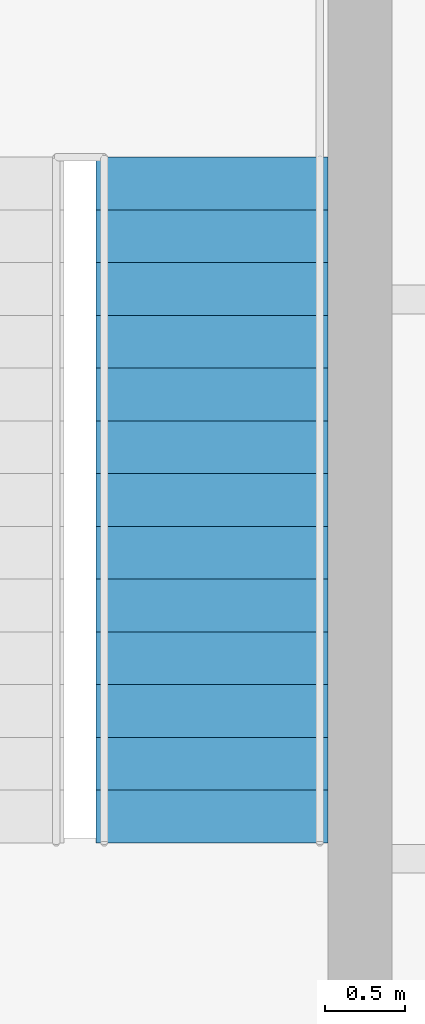
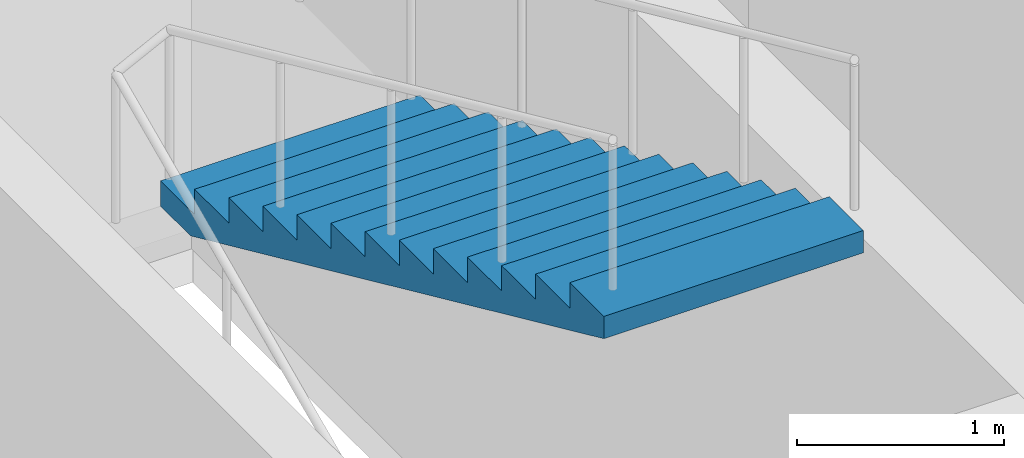
# One storey, part 9 of 10: 1 stair flight, 1 element without a shape of its own.
"""IFC4 building model written with IfcOpenShell, lengths in metres."""

from ifc_helpers import new_model, si_unit, direction, frame, origin, place, context, subcontext, project, spatial, polygons, material, type_object, element, aggregate, save


model = new_model("IFC4")

# Units and contexts
model_context = context("Model", 3, precision=1e-05, world=origin(), true_north=direction((0.0, 1.0)))
body_context = subcontext(model_context, "Body", "Model", "MODEL_VIEW")
ifc_project = project(units=[si_unit("LENGTHUNIT", "METRE"), si_unit("AREAUNIT", "SQUARE_METRE"), si_unit("VOLUMEUNIT", "CUBIC_METRE"), si_unit("PLANEANGLEUNIT", "RADIAN"), si_unit("MASSUNIT", "GRAM", prefix="KILO")], contexts=[model_context])

# Site, building, storey
site_placement = place(None, origin())
site = spatial("IfcSite", under=ifc_project, at=site_placement, CompositionType="ELEMENT")
building_placement = place(site_placement, origin())
building = spatial("IfcBuilding", under=site, at=building_placement, Name="Njiva Tower", CompositionType="ELEMENT")
storey_placement = place(building_placement, frame((0.0, 0.0, 329.4)))
storey = spatial("IfcBuildingStorey", under=building, at=storey_placement, Name="L75", CompositionType="ELEMENT", Elevation=329.4)

# Stair, stair flight
ifc_material = material(Name="Concrete C40/50", Category="concrete")
stair_type = type_object("IfcStairType", Name="ST3 Exit stair 1450", PredefinedType="HALF_TURN_STAIR", material=ifc_material)
stair_placement = place(storey_placement, origin())
stair = element("IfcStair", 1, at=stair_placement, inside=storey, type_object=stair_type, Name="Stair B", PredefinedType="HALF_TURN_STAIR")
stair_flight_type = type_object("IfcStairFlightType", Name="FL3 Stair flight 1450", PredefinedType="STRAIGHT", material=ifc_material)
stair_flight_placement = place(storey_placement, frame((13.375, 15.39, 2.1), z_axis=(0.0, 0.0, 1.0), x_axis=(0.0, -1.0, 0.0)))
stair_flight = element("IfcStairFlight", 2, at=stair_flight_placement, type_object=stair_flight_type, Name="ST-B flight 2", NumberOfRisers=14, NumberOfTreads=13, PredefinedType="STRAIGHT", RiserHeight=0.15, TreadLength=0.33, context=body_context, shape_type="Tessellation", body=[
    polygons([(0.0, 0.725, 0.0), (0.0, 0.3625, 0.0), (0.0, 0.0, 0.0), (0.0, -0.3625, 0.0), (0.0, -0.725, 0.0), (0.0, 0.725, 0.15), (0.0, 0.3625, 0.15), (0.0, 0.0, 0.15), (0.0, -0.3625, 0.15), (0.0, -0.725, 0.15), (0.33, 0.725, 0.15), (0.33, 0.3625, 0.15), (0.33, 0.0, 0.15), (0.33, -0.3625, 0.15), (0.33, -0.725, 0.15), (0.33, 0.725, 0.3), (0.33, 0.3625, 0.3), (0.33, 0.0, 0.3), (0.33, -0.3625, 0.3), (0.33, -0.725, 0.3), (0.66, 0.725, 0.3), (0.66, 0.3625, 0.3), (0.66, 0.0, 0.3), (0.66, -0.3625, 0.3), (0.66, -0.725, 0.3), (0.66, 0.725, 0.45), (0.66, 0.3625, 0.45), (0.66, 0.0, 0.45), (0.66, -0.3625, 0.45), (0.66, -0.725, 0.45), (0.99, 0.725, 0.45), (0.99, 0.3625, 0.45), (0.99, 0.0, 0.45), (0.99, -0.3625, 0.45), (0.99, -0.725, 0.45), (0.99, 0.725, 0.6), (0.99, 0.3625, 0.6), (0.99, 0.0, 0.6), (0.99, -0.3625, 0.6), (0.99, -0.725, 0.6), (1.32, 0.725, 0.6), (1.32, 0.3625, 0.6), (1.32, 0.0, 0.6), (1.32, -0.3625, 0.6), (1.32, -0.725, 0.6), (1.32, 0.725, 0.75), (1.32, 0.3625, 0.75), (1.32, 0.0, 0.75), (1.32, -0.3625, 0.75), (1.32, -0.725, 0.75), (1.65, 0.725, 0.75), (1.65, 0.3625, 0.75), (1.65, 0.0, 0.75), (1.65, -0.3625, 0.75), (1.65, -0.725, 0.75), (1.65, 0.725, 0.9), (1.65, 0.3625, 0.9), (1.65, 0.0, 0.9), (1.65, -0.3625, 0.9), (1.65, -0.725, 0.9), (1.98, 0.725, 0.9), (1.98, 0.3625, 0.9), (1.98, 0.0, 0.9), (1.98, -0.3625, 0.9), (1.98, -0.725, 0.9), (1.98, 0.725, 1.05), (1.98, 0.3625, 1.05), (1.98, 0.0, 1.05), (1.98, -0.3625, 1.05), (1.98, -0.725, 1.05), (2.31, 0.725, 1.05), (2.31, 0.3625, 1.05), (2.31, 0.0, 1.05), (2.31, -0.3625, 1.05), (2.31, -0.725, 1.05), (2.31, 0.725, 1.2), (2.31, 0.3625, 1.2), (2.31, 0.0, 1.2), (2.31, -0.3625, 1.2), (2.31, -0.725, 1.2), (2.64, 0.725, 1.2), (2.64, 0.3625, 1.2), (2.64, 0.0, 1.2), (2.64, -0.3625, 1.2), (2.64, -0.725, 1.2), (2.64, 0.725, 1.35), (2.64, 0.3625, 1.35), (2.64, 0.0, 1.35), (2.64, -0.3625, 1.35), (2.64, -0.725, 1.35), (2.97, 0.725, 1.35), (2.97, 0.3625, 1.35), (2.97, 0.0, 1.35), (2.97, -0.3625, 1.35), (2.97, -0.725, 1.35), (2.97, 0.725, 1.5), (2.97, 0.3625, 1.5), (2.97, 0.0, 1.5), (2.97, -0.3625, 1.5), (2.97, -0.725, 1.5), (3.3, 0.725, 1.5), (3.3, 0.3625, 1.5), (3.3, 0.0, 1.5), (3.3, -0.3625, 1.5), (3.3, -0.725, 1.5), (3.3, 0.725, 1.65), (3.3, 0.3625, 1.65), (3.3, 0.0, 1.65), (3.3, -0.3625, 1.65), (3.3, -0.725, 1.65), (3.63, 0.725, 1.65), (3.63, 0.3625, 1.65), (3.63, 0.0, 1.65), (3.63, -0.3625, 1.65), (3.63, -0.725, 1.65), (3.63, 0.725, 1.8), (3.63, 0.3625, 1.8), (3.63, 0.0, 1.8), (3.63, -0.3625, 1.8), (3.63, -0.725, 1.8), (3.96, 0.725, 1.8), (3.96, 0.3625, 1.8), (3.96, 0.0, 1.8), (3.96, -0.3625, 1.8), (3.96, -0.725, 1.8), (3.96, 0.725, 1.95), (3.96, 0.3625, 1.95), (3.96, 0.0, 1.95), (3.96, -0.3625, 1.95), (3.96, -0.725, 1.95), (4.29, 0.725, 1.95), (4.29, 0.3625, 1.95), (4.29, 0.0, 1.95), (4.29, -0.3625, 1.95), (4.29, -0.725, 1.95), (4.29, 0.725, 1.8182), (4.29, 0.3625, 1.8182), (4.29, 0.0, 1.8182), (4.29, -0.3625, 1.8182), (4.29, -0.725, 1.8182), (0.29, 0.725, 0.0), (0.29, 0.3625, 0.0), (0.29, 0.0, 0.0), (0.29, -0.3625, 0.0), (0.29, -0.725, 0.0)], [[[1, 6, 11, 16, 21, 26, 31, 36, 41, 46, 51, 56, 61, 66, 71, 76, 81, 86, 91, 96, 101, 106, 111, 116, 121, 126, 131, 136, 141]], [[145, 140, 135, 130, 125, 120, 115, 110, 105, 100, 95, 90, 85, 80, 75, 70, 65, 60, 55, 50, 45, 40, 35, 30, 25, 20, 15, 10, 5]], [[6, 1, 2, 7]], [[7, 2, 3, 8]], [[8, 3, 4, 9]], [[9, 4, 5, 10]], [[11, 6, 7, 12]], [[12, 7, 8, 13]], [[13, 8, 9, 14]], [[14, 9, 10, 15]], [[16, 11, 12, 17]], [[17, 12, 13, 18]], [[18, 13, 14, 19]], [[19, 14, 15, 20]], [[21, 16, 17, 22]], [[22, 17, 18, 23]], [[23, 18, 19, 24]], [[24, 19, 20, 25]], [[26, 21, 22, 27]], [[27, 22, 23, 28]], [[28, 23, 24, 29]], [[29, 24, 25, 30]], [[31, 26, 27, 32]], [[32, 27, 28, 33]], [[33, 28, 29, 34]], [[34, 29, 30, 35]], [[36, 31, 32, 37]], [[37, 32, 33, 38]], [[38, 33, 34, 39]], [[39, 34, 35, 40]], [[41, 36, 37, 42]], [[42, 37, 38, 43]], [[43, 38, 39, 44]], [[44, 39, 40, 45]], [[46, 41, 42, 47]], [[47, 42, 43, 48]], [[48, 43, 44, 49]], [[49, 44, 45, 50]], [[51, 46, 47, 52]], [[52, 47, 48, 53]], [[53, 48, 49, 54]], [[54, 49, 50, 55]], [[56, 51, 52, 57]], [[57, 52, 53, 58]], [[58, 53, 54, 59]], [[59, 54, 55, 60]], [[61, 56, 57, 62]], [[62, 57, 58, 63]], [[63, 58, 59, 64]], [[64, 59, 60, 65]], [[66, 61, 62, 67]], [[67, 62, 63, 68]], [[68, 63, 64, 69]], [[69, 64, 65, 70]], [[71, 66, 67, 72]], [[72, 67, 68, 73]], [[73, 68, 69, 74]], [[74, 69, 70, 75]], [[76, 71, 72, 77]], [[77, 72, 73, 78]], [[78, 73, 74, 79]], [[79, 74, 75, 80]], [[81, 76, 77, 82]], [[82, 77, 78, 83]], [[83, 78, 79, 84]], [[84, 79, 80, 85]], [[86, 81, 82, 87]], [[87, 82, 83, 88]], [[88, 83, 84, 89]], [[89, 84, 85, 90]], [[91, 86, 87, 92]], [[92, 87, 88, 93]], [[93, 88, 89, 94]], [[94, 89, 90, 95]], [[96, 91, 92, 97]], [[97, 92, 93, 98]], [[98, 93, 94, 99]], [[99, 94, 95, 100]], [[101, 96, 97, 102]], [[102, 97, 98, 103]], [[103, 98, 99, 104]], [[104, 99, 100, 105]], [[106, 101, 102, 107]], [[107, 102, 103, 108]], [[108, 103, 104, 109]], [[109, 104, 105, 110]], [[111, 106, 107, 112]], [[112, 107, 108, 113]], [[113, 108, 109, 114]], [[114, 109, 110, 115]], [[116, 111, 112, 117]], [[117, 112, 113, 118]], [[118, 113, 114, 119]], [[119, 114, 115, 120]], [[121, 116, 117, 122]], [[122, 117, 118, 123]], [[123, 118, 119, 124]], [[124, 119, 120, 125]], [[126, 121, 122, 127]], [[127, 122, 123, 128]], [[128, 123, 124, 129]], [[129, 124, 125, 130]], [[131, 126, 127, 132]], [[132, 127, 128, 133]], [[133, 128, 129, 134]], [[134, 129, 130, 135]], [[136, 131, 132, 137]], [[137, 132, 133, 138]], [[138, 133, 134, 139]], [[139, 134, 135, 140]], [[141, 136, 137, 142]], [[142, 137, 138, 143]], [[143, 138, 139, 144]], [[144, 139, 140, 145]], [[1, 141, 142, 2]], [[2, 142, 143, 3]], [[3, 143, 144, 4]], [[4, 144, 145, 5]]], closed=True),
])
aggregate(stair, [stair_flight])

save(model, "model.ifc")
